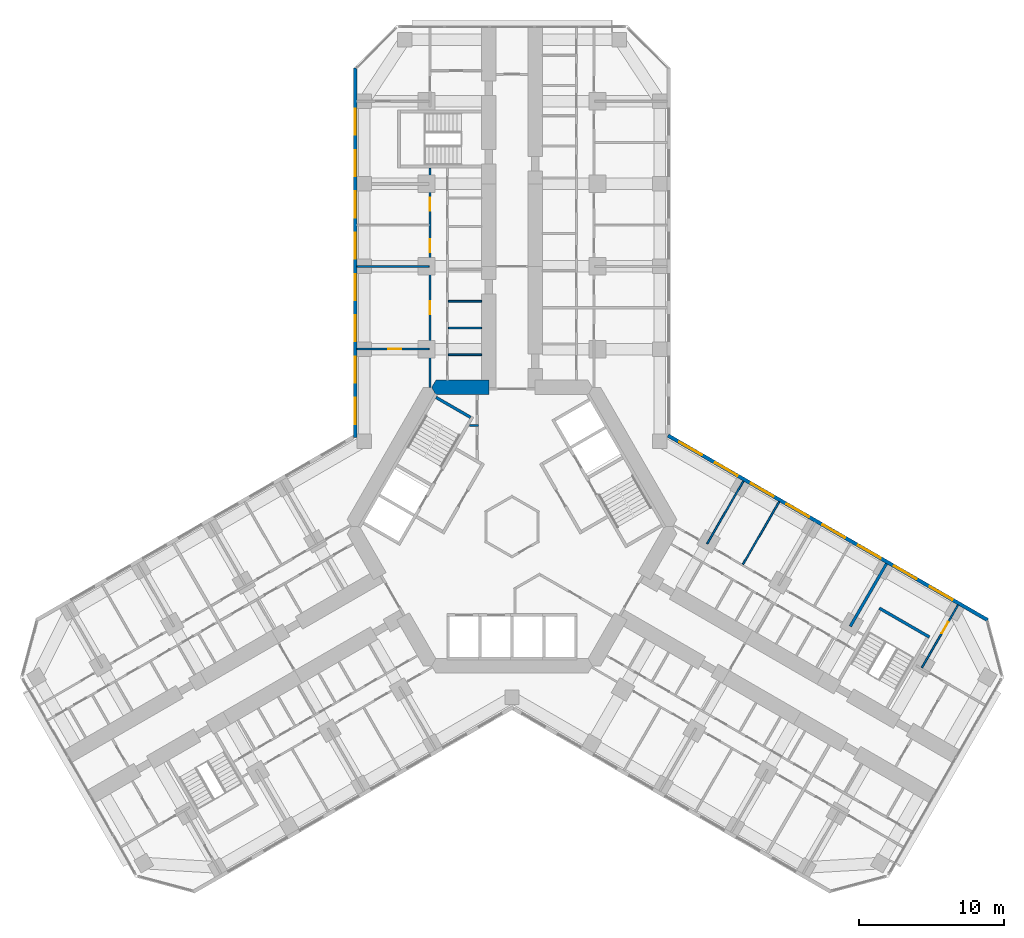
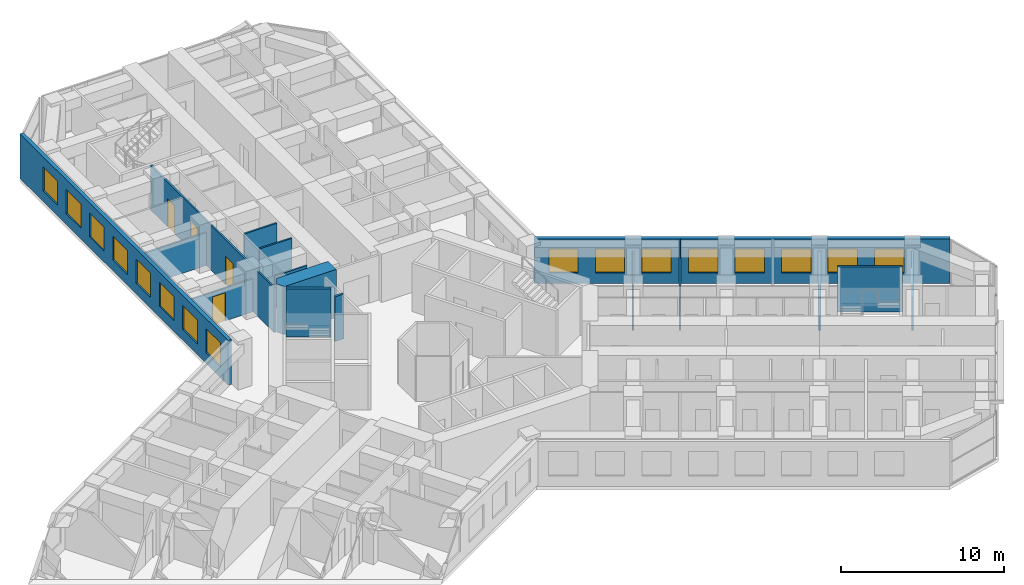
# One storey, part 17 of 21: 16 walls, 16 windows, 5 doors, 21 openings.
"""IFC4 building model written with IfcOpenShell, lengths in metres."""

from ifc_helpers import new_model, si_unit, direction, frame, frame_2d, origin, place, context, subcontext, project, spatial, polyline, rectangle, outline, extrude, material, layer, layer_set, type_object, element, fill, save


model = new_model("IFC4")

# Units and contexts
model_context = context("Model", 3, precision=1e-05, world=origin(), true_north=direction((0.0, 1.0)))
body_context = subcontext(model_context, "Body", "Model", "MODEL_VIEW")
ifc_project = project(units=[si_unit("LENGTHUNIT", "METRE"), si_unit("AREAUNIT", "SQUARE_METRE"), si_unit("VOLUMEUNIT", "CUBIC_METRE"), si_unit("PLANEANGLEUNIT", "RADIAN"), si_unit("MASSUNIT", "GRAM", prefix="KILO")], contexts=[model_context])

# Site, building, storey
site_placement = place(None, origin())
site = spatial("IfcSite", under=ifc_project, at=site_placement, CompositionType="ELEMENT")
building_placement = place(site_placement, origin())
building = spatial("IfcBuilding", under=site, at=building_placement, Name="Kosmar Iwan School Tower", CompositionType="ELEMENT")
storey_placement = place(building_placement, frame((0.0, 0.0, 57.39990234375)))
storey = spatial("IfcBuildingStorey", under=building, at=storey_placement, Name="L13", CompositionType="ELEMENT", Elevation=57.39990234375)

# Walls
ifc_material_1 = material(Name="Gypsum board on steel studs, fire-rated", Category="steel")
ifc_layer_1 = layer(ifc_material_1, 0.14990234375)
ifc_layer_set_1 = layer_set([ifc_layer_1], Name="Core room partition 150")
wall_type_1 = type_object("IfcWallType", Name="Core room partition 150", PredefinedType="PARTITIONING", material=ifc_layer_set_1)
wall_1_placement = place(storey_placement, frame((-2.324951171875, 6.985107421875, 0.0), z_axis=(0.0, 0.0, 1.0), x_axis=(-1.0, 0.0, 0.0)))
element("IfcWall", 1, at=wall_1_placement, inside=storey, type_object=wall_type_1, Name="Core room partition L13-CW2", PredefinedType="PARTITIONING", context=body_context, shape_type="SweptSolid", body=[
    extrude(rectangle(XDim=0.623779296875, YDim=0.14990234375, at=frame_2d((0.31201171875, 0.0))), origin(), (0.0, 0.0, 1.0), 3.35009765625),
])
ifc_material_2 = material(Name="Concrete C50/60", Category="concrete")
ifc_layer_2 = layer(ifc_material_2, 1.0)
ifc_layer_set_2 = layer_set([ifc_layer_2], Name="Core wall 1000")
wall_type_2 = type_object("IfcWallType", Name="Core wall 1000", PredefinedType="SHEAR", material=ifc_layer_set_2)
wall_2_placement = place(storey_placement, origin())
element("IfcWall", 2, at=wall_2_placement, inside=storey, type_object=wall_type_2, Name="Core wall F090b", PredefinedType="SHEAR", context=body_context, shape_type="SweptSolid", body=[
    extrude(outline(polyline([(-5.25390625, 9.10009765625), (-1.60009765625, 9.10009765625), (-1.60009765625, 10.10009765625), (-5.25390625, 10.10009765625), (-5.54248046875, 9.60009765625), (-5.25390625, 9.10009765625)])), origin(), (0.0, 0.0, 1.0), 3.60009765625),
])

# Wall, openings, doors
ifc_material_3 = material(Name="Gypsum board on steel studs", Category="steel")
ifc_layer_3 = layer(ifc_material_3, 0.1201171875)
ifc_layer_set_3 = layer_set([ifc_layer_3], Name="Dwelling partition 120")
wall_type_3 = type_object("IfcWallType", Name="Dwelling partition 120", PredefinedType="PARTITIONING", material=ifc_layer_set_3)
wall_3_placement = place(storey_placement, frame((-5.64990234375, 9.60009765625, 0.0), z_axis=(0.0, 0.0, 1.0), x_axis=(0.0, 1.0, 0.0)))
wall_3 = element("IfcWall", 3, at=wall_3_placement, inside=storey, type_object=wall_type_3, Name="Partition L13-AL1-W2", PredefinedType="PARTITIONING", context=body_context, shape_type="SweptSolid", body=[
    extrude(rectangle(XDim=15.14990234375, YDim=0.1201171875, at=frame_2d((7.574951171875, 0.0))), origin(), (0.0, 0.0, 1.0), 3.35009765625),
])
opening_1_placement = place(wall_3_placement, frame((5.050048828125, 0.0, 0.0)))
opening_1 = element("IfcOpeningElement", 4, at=opening_1_placement, cuts=wall_3, Name="Opening D2", PredefinedType="OPENING", context=body_context, shape_type="SweptSolid", body=[
    extrude(rectangle(XDim=0.89990234375, YDim=2.10009765625, at=frame_2d((0.449951171875, 1.050048828125))), frame((0.0, 0.072021484375, 0.0), z_axis=(0.0, -1.0, 0.0), x_axis=(1.0, 0.0, 0.0)), (0.0, 0.0, 1.0), 0.14404296875),
])
opening_2_placement = place(wall_3_placement, frame((9.324951171875, 0.0, 0.0)))
opening_2 = element("IfcOpeningElement", 5, at=opening_2_placement, cuts=wall_3, Name="Opening D2", PredefinedType="OPENING", context=body_context, shape_type="SweptSolid", body=[
    extrude(rectangle(XDim=0.89990234375, YDim=2.10009765625, at=frame_2d((0.449951171875, 1.050048828125))), frame((0.0, 0.072021484375, 0.0), z_axis=(0.0, -1.0, 0.0), x_axis=(1.0, 0.0, 0.0)), (0.0, 0.0, 1.0), 0.14404296875),
])
opening_3_placement = place(wall_3_placement, frame((12.175048828125, 0.0, 0.0)))
opening_3 = element("IfcOpeningElement", 6, at=opening_3_placement, cuts=wall_3, Name="Opening D2", PredefinedType="OPENING", context=body_context, shape_type="SweptSolid", body=[
    extrude(rectangle(XDim=0.89990234375, YDim=2.10009765625, at=frame_2d((0.449951171875, 1.050048828125))), frame((0.0, 0.072021484375, 0.0), z_axis=(0.0, -1.0, 0.0), x_axis=(1.0, 0.0, 0.0)), (0.0, 0.0, 1.0), 0.14404296875),
])
ifc_material_4 = material(Name="Timber door in timber frame", Category="wood")
door_type = type_object("IfcDoorType", Name="Internal door 900x2100", OperationType="SINGLE_SWING_LEFT", PredefinedType="DOOR", material=ifc_material_4)
door_1_placement = place(opening_1_placement, origin())
door_1 = element("IfcDoor", 7, at=door_1_placement, inside=storey, type_object=door_type, Name="Living room door L13-AL1-F2", OperationType="SINGLE_SWING_LEFT", OverallHeight=2.10009765625, OverallWidth=0.89990234375, PredefinedType="DOOR", context=body_context, shape_type="SweptSolid", body=[
    extrude(rectangle(XDim=0.89990234375, YDim=2.10009765625, at=frame_2d((0.449951171875, 1.050048828125))), frame((0.0, 0.02490234375, 0.0), z_axis=(0.0, -1.0, 0.0), x_axis=(1.0, 0.0, 0.0)), (0.0, 0.0, 1.0), 0.050048828125),
])
fill(opening_1, door_1)
door_2_placement = place(opening_2_placement, origin())
door_2 = element("IfcDoor", 8, at=door_2_placement, inside=storey, type_object=door_type, Name="Study door L13-AL1-F3", OperationType="SINGLE_SWING_RIGHT", OverallHeight=2.10009765625, OverallWidth=0.89990234375, PredefinedType="DOOR", context=body_context, shape_type="SweptSolid", body=[
    extrude(rectangle(XDim=0.89990234375, YDim=2.10009765625, at=frame_2d((0.449951171875, 1.050048828125))), frame((0.0, 0.02490234375, 0.0), z_axis=(0.0, -1.0, 0.0), x_axis=(1.0, 0.0, 0.0)), (0.0, 0.0, 1.0), 0.050048828125),
])
fill(opening_2, door_2)
door_3_placement = place(opening_3_placement, origin())
door_3 = element("IfcDoor", 9, at=door_3_placement, inside=storey, type_object=door_type, Name="Bedroom 1 door L13-AL1-F4", OperationType="SINGLE_SWING_LEFT", OverallHeight=2.10009765625, OverallWidth=0.89990234375, PredefinedType="DOOR", context=body_context, shape_type="SweptSolid", body=[
    extrude(rectangle(XDim=0.89990234375, YDim=2.10009765625, at=frame_2d((0.449951171875, 1.050048828125))), frame((0.0, 0.02490234375, 0.0), z_axis=(0.0, -1.0, 0.0), x_axis=(1.0, 0.0, 0.0)), (0.0, 0.0, 1.0), 0.050048828125),
])
fill(opening_3, door_3)

# Wall, opening, door
wall_4_placement = place(storey_placement, frame((-5.7099609375, 12.25, 0.0), z_axis=(0.0, 0.0, 1.0), x_axis=(-1.0, 0.0, 0.0)))
wall_4 = element("IfcWall", 10, at=wall_4_placement, inside=storey, type_object=wall_type_3, Name="Partition L13-AL1-X1", PredefinedType="PARTITIONING", context=body_context, shape_type="SweptSolid", body=[
    extrude(rectangle(XDim=4.989990234375, YDim=0.1201171875, at=frame_2d((2.4951171875, 0.0))), origin(), (0.0, 0.0, 1.0), 2.4501953125),
])
opening_4_placement = place(wall_4_placement, frame((1.93994140625, 0.0, 0.0)))
opening_4 = element("IfcOpeningElement", 11, at=opening_4_placement, cuts=wall_4, Name="Opening D2", PredefinedType="OPENING", context=body_context, shape_type="SweptSolid", body=[
    extrude(rectangle(XDim=0.89990234375, YDim=2.10009765625, at=frame_2d((0.449951171875, 1.050048828125))), frame((0.0, 0.072021484375, 0.0), z_axis=(0.0, -1.0, 0.0), x_axis=(1.0, 0.0, 0.0)), (0.0, 0.0, 1.0), 0.14404296875),
])
door_4_placement = place(opening_4_placement, origin())
door_4 = element("IfcDoor", 12, at=door_4_placement, inside=storey, type_object=door_type, Name="Kitchen and dining room door L13-AL1-F1", OperationType="SINGLE_SWING_LEFT", OverallHeight=2.10009765625, OverallWidth=0.89990234375, PredefinedType="DOOR", context=body_context, shape_type="SweptSolid", body=[
    extrude(rectangle(XDim=0.89990234375, YDim=2.10009765625, at=frame_2d((0.449951171875, 1.050048828125))), frame((0.0, 0.02490234375, 0.0), z_axis=(0.0, -1.0, 0.0), x_axis=(1.0, 0.0, 0.0)), (0.0, 0.0, 1.0), 0.050048828125),
])
fill(opening_4, door_4)

# Walls
wall_5_placement = place(storey_placement, frame((-5.7099609375, 17.949951171875, 0.0), z_axis=(0.0, 0.0, 1.0), x_axis=(-1.0, 0.0, 0.0)))
element("IfcWall", 13, at=wall_5_placement, inside=storey, type_object=wall_type_3, Name="Partition L13-AL1-X2", PredefinedType="PARTITIONING", context=body_context, shape_type="SweptSolid", body=[
    extrude(rectangle(XDim=4.989990234375, YDim=0.1201171875, at=frame_2d((2.4951171875, 0.0))), origin(), (0.0, 0.0, 1.0), 2.4501953125),
])
wall_6_placement = place(storey_placement, frame((-2.10009765625, 11.85009765625, 0.0), z_axis=(0.0, 0.0, 1.0), x_axis=(-1.0, 0.0, 0.0)))
element("IfcWall", 14, at=wall_6_placement, inside=storey, type_object=wall_type_3, Name="Partition L13-AL1-Y1", PredefinedType="PARTITIONING", context=body_context, shape_type="SweptSolid", body=[
    extrude(rectangle(XDim=2.289794921875, YDim=0.1201171875, at=frame_2d((1.14501953125, 0.0))), origin(), (0.0, 0.0, 1.0), 2.4501953125),
])
for number, where, z_axis, x_axis, name in (
    (15, (-2.10009765625, 13.699951171875, 0.0), (0.0, 0.0, 1.0), (-1.0, 0.0, 0.0), "Partition L13-AL1-Y2"),
    (16, (-2.10009765625, 15.550048828125, 0.0), (0.0, 0.0, 1.0), (-1.0, 0.0, 0.0), "Partition L13-AL1-Y3"),
):
    element("IfcWall", number, at=place(storey_placement, frame(where, z_axis=z_axis, x_axis=x_axis)), inside=storey, type_object=wall_type_3, Name=name, PredefinedType="PARTITIONING", context=body_context, shape_type="SweptSolid", body=[
        extrude(rectangle(XDim=2.289794921875, YDim=0.1201171875, at=frame_2d((1.14501953125, 0.0))), origin(), (0.0, 0.0, 1.0), 3.35009765625),
    ])
wall_7_placement = place(storey_placement, frame((13.4638671875, -1.179931640625, 0.0), z_axis=(0.0, 0.0, 1.0), x_axis=(0.499996339024, 0.86602751744, 0.0)))
element("IfcWall", 17, at=wall_7_placement, inside=storey, type_object=wall_type_3, Name="Partition L13-CL1-X1", PredefinedType="PARTITIONING", context=body_context, shape_type="SweptSolid", body=[
    extrude(rectangle(XDim=4.98974609375, YDim=0.1201171875, at=frame_2d((2.494873046875, 0.0))), origin(), (0.0, 0.0, 1.0), 2.4501953125),
])
wall_8_placement = place(storey_placement, frame((15.931884765625, -2.60498046875, 0.0), z_axis=(0.0, 0.0, 1.0), x_axis=(0.500011847778, 0.866018563358, 0.0)))
element("IfcWall", 18, at=wall_8_placement, inside=storey, type_object=wall_type_3, Name="Partition L13-CL1-X2", PredefinedType="PARTITIONING", context=body_context, shape_type="SweptSolid", body=[
    extrude(rectangle(XDim=4.990234375, YDim=0.1201171875, at=frame_2d((2.4951171875, 0.0))), origin(), (0.0, 0.0, 1.0), 3.35009765625),
])

# Wall, opening, door
wall_9_placement = place(storey_placement, frame((28.27294921875, -9.72998046875, 0.0), z_axis=(0.0, 0.0, 1.0), x_axis=(0.499975153383, 0.86603974851, 0.0)))
wall_9 = element("IfcWall", 19, at=wall_9_placement, inside=storey, type_object=wall_type_3, Name="Partition L13-CL2-TX", PredefinedType="PARTITIONING", context=body_context, shape_type="SweptSolid", body=[
    extrude(rectangle(XDim=4.989990234375, YDim=0.1201171875, at=frame_2d((2.4951171875, 0.0))), origin(), (0.0, 0.0, 1.0), 2.4501953125),
])
opening_5_placement = place(wall_9_placement, frame((2.739990234375, 0.0, 0.0)))
opening_5 = element("IfcOpeningElement", 20, at=opening_5_placement, cuts=wall_9, Name="Opening D2", PredefinedType="OPENING", context=body_context, shape_type="SweptSolid", body=[
    extrude(rectangle(XDim=0.89990234375, YDim=2.10009765625, at=frame_2d((0.449951171875, 1.050048828125))), frame((0.0, 0.072021484375, 0.0), z_axis=(0.0, -1.0, 0.0), x_axis=(1.0, 0.0, 0.0)), (0.0, 0.0, 1.0), 0.14404296875),
])
door_5_placement = place(opening_5_placement, origin())
door_5 = element("IfcDoor", 21, at=door_5_placement, inside=storey, type_object=door_type, Name="Bedroom 1 door L13-CL2-T1", OperationType="SINGLE_SWING_RIGHT", OverallHeight=2.10009765625, OverallWidth=0.89990234375, PredefinedType="DOOR", context=body_context, shape_type="SweptSolid", body=[
    extrude(rectangle(XDim=0.89990234375, YDim=2.10009765625, at=frame_2d((0.449951171875, 1.050048828125))), frame((0.0, 0.02490234375, 0.0), z_axis=(0.0, -1.0, 0.0), x_axis=(1.0, 0.0, 0.0)), (0.0, 0.0, 1.0), 0.050048828125),
])
fill(opening_5, door_5)

# Wall
ifc_material_5 = material(Name="Concrete C35/45", Category="concrete")
ifc_layer_4 = layer(ifc_material_5, 0.199951171875)
ifc_layer_set_4 = layer_set([ifc_layer_4], Name="Escape stair wall 200")
wall_type_4 = type_object("IfcWallType", Name="Escape stair wall 200", PredefinedType="SHEAR", material=ifc_layer_set_4)
wall_10_placement = place(storey_placement, frame((25.334228515625, -5.6201171875, 0.0), z_axis=(0.0, 0.0, 1.0), x_axis=(0.866026010844, -0.49999894854, 0.0)))
element("IfcWall", 22, at=wall_10_placement, inside=storey, type_object=wall_type_4, Name="Stair WS3 wall", PredefinedType="SHEAR", context=body_context, shape_type="SweptSolid", body=[
    extrude(rectangle(XDim=4.0, YDim=0.199951171875, at=frame_2d((2.0, 0.0))), origin(), (0.0, 0.0, 1.0), 3.330078125),
])

# Wall, openings, windows
ifc_material_6 = material(Name="Black aluminium rainscreen on insulated framing", Category="aluminium")
ifc_layer_5 = layer(ifc_material_6, 0.25)
ifc_layer_set_5 = layer_set([ifc_layer_5], Name="External wall rainscreen 250")
wall_type_5 = type_object("IfcWallType", Name="External wall rainscreen 250", PredefinedType="SOLIDWALL", material=ifc_layer_set_5)
wall_11_placement = place(storey_placement, frame((10.762451171875, 6.285888671875, 0.0), z_axis=(0.0, 0.0, 1.0), x_axis=(0.866027962024, -0.499995568972, 0.0)))
wall_11 = element("IfcWall", 23, at=wall_11_placement, inside=storey, type_object=wall_type_5, Name="External wall CL L13", PredefinedType="SOLIDWALL", context=body_context, shape_type="SweptSolid", body=[
    extrude(rectangle(XDim=25.457763671875, YDim=0.25, at=frame_2d((12.72900390625, 0.0))), origin(), (0.0, 0.0, 1.0), 3.35009765625),
])
opening_6_placement = place(wall_11_placement, frame((0.8974609375, 0.0, 0.800048828125)))
opening_6 = element("IfcOpeningElement", 24, at=opening_6_placement, cuts=wall_11, Name="Opening W1", PredefinedType="OPENING", context=body_context, shape_type="SweptSolid", body=[
    extrude(rectangle(XDim=1.800048828125, YDim=1.800048828125, at=frame_2d((0.89990234375, 0.89990234375))), frame((0.0, 0.136962890625, 0.0), z_axis=(0.0, -1.0, 0.0), x_axis=(1.0, 0.0, 0.0)), (0.0, 0.0, 1.0), 0.27392578125),
])
opening_7_placement = place(wall_11_placement, frame((3.747314453125, 0.0, 0.800048828125)))
opening_7 = element("IfcOpeningElement", 25, at=opening_7_placement, cuts=wall_11, Name="Opening W1", PredefinedType="OPENING", context=body_context, shape_type="SweptSolid", body=[
    extrude(rectangle(XDim=1.800048828125, YDim=1.800048828125, at=frame_2d((0.89990234375, 0.89990234375))), frame((0.0, 0.136962890625, 0.0), z_axis=(0.0, -1.0, 0.0), x_axis=(1.0, 0.0, 0.0)), (0.0, 0.0, 1.0), 0.27392578125),
])
opening_8_placement = place(wall_11_placement, frame((6.597412109375, 0.0, 0.800048828125)))
opening_8 = element("IfcOpeningElement", 26, at=opening_8_placement, cuts=wall_11, Name="Opening W1", PredefinedType="OPENING", context=body_context, shape_type="SweptSolid", body=[
    extrude(rectangle(XDim=1.800048828125, YDim=1.800048828125, at=frame_2d((0.89990234375, 0.89990234375))), frame((0.0, 0.136962890625, 0.0), z_axis=(0.0, -1.0, 0.0), x_axis=(1.0, 0.0, 0.0)), (0.0, 0.0, 1.0), 0.27392578125),
])
opening_9_placement = place(wall_11_placement, frame((9.447265625, 0.0, 0.800048828125)))
opening_9 = element("IfcOpeningElement", 27, at=opening_9_placement, cuts=wall_11, Name="Opening W1", PredefinedType="OPENING", context=body_context, shape_type="SweptSolid", body=[
    extrude(rectangle(XDim=1.800048828125, YDim=1.800048828125, at=frame_2d((0.89990234375, 0.89990234375))), frame((0.0, 0.136962890625, 0.0), z_axis=(0.0, -1.0, 0.0), x_axis=(1.0, 0.0, 0.0)), (0.0, 0.0, 1.0), 0.27392578125),
])
opening_10_placement = place(wall_11_placement, frame((12.29736328125, 0.0, 0.800048828125)))
opening_10 = element("IfcOpeningElement", 28, at=opening_10_placement, cuts=wall_11, Name="Opening W1", PredefinedType="OPENING", context=body_context, shape_type="SweptSolid", body=[
    extrude(rectangle(XDim=1.800048828125, YDim=1.800048828125, at=frame_2d((0.89990234375, 0.89990234375))), frame((0.0, 0.136962890625, 0.0), z_axis=(0.0, -1.0, 0.0), x_axis=(1.0, 0.0, 0.0)), (0.0, 0.0, 1.0), 0.27392578125),
])
opening_11_placement = place(wall_11_placement, frame((15.1474609375, 0.0, 0.800048828125)))
opening_11 = element("IfcOpeningElement", 29, at=opening_11_placement, cuts=wall_11, Name="Opening W1", PredefinedType="OPENING", context=body_context, shape_type="SweptSolid", body=[
    extrude(rectangle(XDim=1.800048828125, YDim=1.800048828125, at=frame_2d((0.89990234375, 0.89990234375))), frame((0.0, 0.136962890625, 0.0), z_axis=(0.0, -1.0, 0.0), x_axis=(1.0, 0.0, 0.0)), (0.0, 0.0, 1.0), 0.27392578125),
])
opening_12_placement = place(wall_11_placement, frame((17.997314453125, 0.0, 0.800048828125)))
opening_12 = element("IfcOpeningElement", 30, at=opening_12_placement, cuts=wall_11, Name="Opening W1", PredefinedType="OPENING", context=body_context, shape_type="SweptSolid", body=[
    extrude(rectangle(XDim=1.800048828125, YDim=1.800048828125, at=frame_2d((0.89990234375, 0.89990234375))), frame((0.0, 0.136962890625, 0.0), z_axis=(0.0, -1.0, 0.0), x_axis=(1.0, 0.0, 0.0)), (0.0, 0.0, 1.0), 0.27392578125),
])
opening_13_placement = place(wall_11_placement, frame((20.847412109375, 0.0, 0.800048828125)))
opening_13 = element("IfcOpeningElement", 31, at=opening_13_placement, cuts=wall_11, Name="Opening W1", PredefinedType="OPENING", context=body_context, shape_type="SweptSolid", body=[
    extrude(rectangle(XDim=1.800048828125, YDim=1.800048828125, at=frame_2d((0.89990234375, 0.89990234375))), frame((0.0, 0.136962890625, 0.0), z_axis=(0.0, -1.0, 0.0), x_axis=(1.0, 0.0, 0.0)), (0.0, 0.0, 1.0), 0.27392578125),
])
ifc_material_7 = material(Name="Black aluminium frame with dark triple glazing", Category="aluminium")
window_type = type_object("IfcWindowType", Name="Window 1800x1800", PartitioningType="SINGLE_PANEL", PredefinedType="WINDOW", material=ifc_material_7)
window_1_placement = place(opening_6_placement, origin())
window_1 = element("IfcWindow", 32, at=window_1_placement, inside=storey, type_object=window_type, Name="Window CL L13 -1", OverallHeight=1.800048828125, OverallWidth=1.800048828125, PartitioningType="SINGLE_PANEL", PredefinedType="WINDOW", context=body_context, shape_type="SweptSolid", body=[
    extrude(rectangle(XDim=1.800048828125, YDim=1.800048828125, at=frame_2d((0.89990234375, 0.89990234375))), frame((0.0, 0.030029296875, 0.0), z_axis=(0.0, -1.0, 0.0), x_axis=(1.0, 0.0, 0.0)), (0.0, 0.0, 1.0), 0.06005859375),
])
fill(opening_6, window_1)
window_2_placement = place(opening_7_placement, origin())
window_2 = element("IfcWindow", 33, at=window_2_placement, inside=storey, type_object=window_type, Name="Window CL L13 0", OverallHeight=1.800048828125, OverallWidth=1.800048828125, PartitioningType="SINGLE_PANEL", PredefinedType="WINDOW", context=body_context, shape_type="SweptSolid", body=[
    extrude(rectangle(XDim=1.800048828125, YDim=1.800048828125, at=frame_2d((0.89990234375, 0.89990234375))), frame((0.0, 0.030029296875, 0.0), z_axis=(0.0, -1.0, 0.0), x_axis=(1.0, 0.0, 0.0)), (0.0, 0.0, 1.0), 0.06005859375),
])
fill(opening_7, window_2)
window_3_placement = place(opening_8_placement, origin())
window_3 = element("IfcWindow", 34, at=window_3_placement, inside=storey, type_object=window_type, Name="Window CL L13 1", OverallHeight=1.800048828125, OverallWidth=1.800048828125, PartitioningType="SINGLE_PANEL", PredefinedType="WINDOW", context=body_context, shape_type="SweptSolid", body=[
    extrude(rectangle(XDim=1.800048828125, YDim=1.800048828125, at=frame_2d((0.89990234375, 0.89990234375))), frame((0.0, 0.030029296875, 0.0), z_axis=(0.0, -1.0, 0.0), x_axis=(1.0, 0.0, 0.0)), (0.0, 0.0, 1.0), 0.06005859375),
])
fill(opening_8, window_3)
window_4_placement = place(opening_9_placement, origin())
window_4 = element("IfcWindow", 35, at=window_4_placement, inside=storey, type_object=window_type, Name="Window CL L13 2", OverallHeight=1.800048828125, OverallWidth=1.800048828125, PartitioningType="SINGLE_PANEL", PredefinedType="WINDOW", context=body_context, shape_type="SweptSolid", body=[
    extrude(rectangle(XDim=1.800048828125, YDim=1.800048828125, at=frame_2d((0.89990234375, 0.89990234375))), frame((0.0, 0.030029296875, 0.0), z_axis=(0.0, -1.0, 0.0), x_axis=(1.0, 0.0, 0.0)), (0.0, 0.0, 1.0), 0.06005859375),
])
fill(opening_9, window_4)
window_5_placement = place(opening_10_placement, origin())
window_5 = element("IfcWindow", 36, at=window_5_placement, inside=storey, type_object=window_type, Name="Window CL L13 3", OverallHeight=1.800048828125, OverallWidth=1.800048828125, PartitioningType="SINGLE_PANEL", PredefinedType="WINDOW", context=body_context, shape_type="SweptSolid", body=[
    extrude(rectangle(XDim=1.800048828125, YDim=1.800048828125, at=frame_2d((0.89990234375, 0.89990234375))), frame((0.0, 0.030029296875, 0.0), z_axis=(0.0, -1.0, 0.0), x_axis=(1.0, 0.0, 0.0)), (0.0, 0.0, 1.0), 0.06005859375),
])
fill(opening_10, window_5)
window_6_placement = place(opening_11_placement, origin())
window_6 = element("IfcWindow", 37, at=window_6_placement, inside=storey, type_object=window_type, Name="Window CL L13 4", OverallHeight=1.800048828125, OverallWidth=1.800048828125, PartitioningType="SINGLE_PANEL", PredefinedType="WINDOW", context=body_context, shape_type="SweptSolid", body=[
    extrude(rectangle(XDim=1.800048828125, YDim=1.800048828125, at=frame_2d((0.89990234375, 0.89990234375))), frame((0.0, 0.030029296875, 0.0), z_axis=(0.0, -1.0, 0.0), x_axis=(1.0, 0.0, 0.0)), (0.0, 0.0, 1.0), 0.06005859375),
])
fill(opening_11, window_6)
window_7_placement = place(opening_12_placement, origin())
window_7 = element("IfcWindow", 38, at=window_7_placement, inside=storey, type_object=window_type, Name="Window CL L13 5", OverallHeight=1.800048828125, OverallWidth=1.800048828125, PartitioningType="SINGLE_PANEL", PredefinedType="WINDOW", context=body_context, shape_type="SweptSolid", body=[
    extrude(rectangle(XDim=1.800048828125, YDim=1.800048828125, at=frame_2d((0.89990234375, 0.89990234375))), frame((0.0, 0.030029296875, 0.0), z_axis=(0.0, -1.0, 0.0), x_axis=(1.0, 0.0, 0.0)), (0.0, 0.0, 1.0), 0.06005859375),
])
fill(opening_12, window_7)
window_8_placement = place(opening_13_placement, origin())
window_8 = element("IfcWindow", 39, at=window_8_placement, inside=storey, type_object=window_type, Name="Window CL L13 6", OverallHeight=1.800048828125, OverallWidth=1.800048828125, PartitioningType="SINGLE_PANEL", PredefinedType="WINDOW", context=body_context, shape_type="SweptSolid", body=[
    extrude(rectangle(XDim=1.800048828125, YDim=1.800048828125, at=frame_2d((0.89990234375, 0.89990234375))), frame((0.0, 0.030029296875, 0.0), z_axis=(0.0, -1.0, 0.0), x_axis=(1.0, 0.0, 0.0)), (0.0, 0.0, 1.0), 0.06005859375),
])
fill(opening_13, window_8)

wall_12_placement = place(storey_placement, frame((-10.824951171875, 6.14794921875, 0.0), z_axis=(0.0, 0.0, 1.0), x_axis=(0.0, 1.0, 0.0)))
wall_12 = element("IfcWall", 40, at=wall_12_placement, inside=storey, type_object=wall_type_5, Name="External wall AL L13", PredefinedType="SOLIDWALL", context=body_context, shape_type="SweptSolid", body=[
    extrude(rectangle(XDim=25.4873046875, YDim=0.25, at=frame_2d((12.74365234375, 0.0))), origin(), (0.0, 0.0, 1.0), 3.35009765625),
])
opening_14_placement = place(wall_12_placement, frame((0.927001953125, 0.0, 0.800048828125)))
opening_14 = element("IfcOpeningElement", 41, at=opening_14_placement, cuts=wall_12, Name="Opening W1", PredefinedType="OPENING", context=body_context, shape_type="SweptSolid", body=[
    extrude(rectangle(XDim=1.800048828125, YDim=1.800048828125, at=frame_2d((0.89990234375, 0.89990234375))), frame((0.0, 0.136962890625, 0.0), z_axis=(0.0, -1.0, 0.0), x_axis=(1.0, 0.0, 0.0)), (0.0, 0.0, 1.0), 0.27392578125),
])
opening_15_placement = place(wall_12_placement, frame((3.777099609375, 0.0, 0.800048828125)))
opening_15 = element("IfcOpeningElement", 42, at=opening_15_placement, cuts=wall_12, Name="Opening W1", PredefinedType="OPENING", context=body_context, shape_type="SweptSolid", body=[
    extrude(rectangle(XDim=1.800048828125, YDim=1.800048828125, at=frame_2d((0.89990234375, 0.89990234375))), frame((0.0, 0.136962890625, 0.0), z_axis=(0.0, -1.0, 0.0), x_axis=(1.0, 0.0, 0.0)), (0.0, 0.0, 1.0), 0.27392578125),
])
opening_16_placement = place(wall_12_placement, frame((6.626953125, 0.0, 0.800048828125)))
opening_16 = element("IfcOpeningElement", 43, at=opening_16_placement, cuts=wall_12, Name="Opening W1", PredefinedType="OPENING", context=body_context, shape_type="SweptSolid", body=[
    extrude(rectangle(XDim=1.800048828125, YDim=1.800048828125, at=frame_2d((0.89990234375, 0.89990234375))), frame((0.0, 0.136962890625, 0.0), z_axis=(0.0, -1.0, 0.0), x_axis=(1.0, 0.0, 0.0)), (0.0, 0.0, 1.0), 0.27392578125),
])
opening_17_placement = place(wall_12_placement, frame((9.47705078125, 0.0, 0.800048828125)))
opening_17 = element("IfcOpeningElement", 44, at=opening_17_placement, cuts=wall_12, Name="Opening W1", PredefinedType="OPENING", context=body_context, shape_type="SweptSolid", body=[
    extrude(rectangle(XDim=1.800048828125, YDim=1.800048828125, at=frame_2d((0.89990234375, 0.89990234375))), frame((0.0, 0.136962890625, 0.0), z_axis=(0.0, -1.0, 0.0), x_axis=(1.0, 0.0, 0.0)), (0.0, 0.0, 1.0), 0.27392578125),
])
opening_18_placement = place(wall_12_placement, frame((12.326904296875, 0.0, 0.800048828125)))
opening_18 = element("IfcOpeningElement", 45, at=opening_18_placement, cuts=wall_12, Name="Opening W1", PredefinedType="OPENING", context=body_context, shape_type="SweptSolid", body=[
    extrude(rectangle(XDim=1.800048828125, YDim=1.800048828125, at=frame_2d((0.89990234375, 0.89990234375))), frame((0.0, 0.136962890625, 0.0), z_axis=(0.0, -1.0, 0.0), x_axis=(1.0, 0.0, 0.0)), (0.0, 0.0, 1.0), 0.27392578125),
])
opening_19_placement = place(wall_12_placement, frame((15.177001953125, 0.0, 0.800048828125)))
opening_19 = element("IfcOpeningElement", 46, at=opening_19_placement, cuts=wall_12, Name="Opening W1", PredefinedType="OPENING", context=body_context, shape_type="SweptSolid", body=[
    extrude(rectangle(XDim=1.800048828125, YDim=1.800048828125, at=frame_2d((0.89990234375, 0.89990234375))), frame((0.0, 0.136962890625, 0.0), z_axis=(0.0, -1.0, 0.0), x_axis=(1.0, 0.0, 0.0)), (0.0, 0.0, 1.0), 0.27392578125),
])
opening_20_placement = place(wall_12_placement, frame((18.027099609375, 0.0, 0.800048828125)))
opening_20 = element("IfcOpeningElement", 47, at=opening_20_placement, cuts=wall_12, Name="Opening W1", PredefinedType="OPENING", context=body_context, shape_type="SweptSolid", body=[
    extrude(rectangle(XDim=1.800048828125, YDim=1.800048828125, at=frame_2d((0.89990234375, 0.89990234375))), frame((0.0, 0.136962890625, 0.0), z_axis=(0.0, -1.0, 0.0), x_axis=(1.0, 0.0, 0.0)), (0.0, 0.0, 1.0), 0.27392578125),
])
opening_21_placement = place(wall_12_placement, frame((20.876953125, 0.0, 0.800048828125)))
opening_21 = element("IfcOpeningElement", 48, at=opening_21_placement, cuts=wall_12, Name="Opening W1", PredefinedType="OPENING", context=body_context, shape_type="SweptSolid", body=[
    extrude(rectangle(XDim=1.800048828125, YDim=1.800048828125, at=frame_2d((0.89990234375, 0.89990234375))), frame((0.0, 0.136962890625, 0.0), z_axis=(0.0, -1.0, 0.0), x_axis=(1.0, 0.0, 0.0)), (0.0, 0.0, 1.0), 0.27392578125),
])
window_9_placement = place(opening_14_placement, origin())
window_9 = element("IfcWindow", 49, at=window_9_placement, inside=storey, type_object=window_type, Name="Window AL L13 -1", OverallHeight=1.800048828125, OverallWidth=1.800048828125, PartitioningType="SINGLE_PANEL", PredefinedType="WINDOW", context=body_context, shape_type="SweptSolid", body=[
    extrude(rectangle(XDim=1.800048828125, YDim=1.800048828125, at=frame_2d((0.89990234375, 0.89990234375))), frame((0.0, 0.030029296875, 0.0), z_axis=(0.0, -1.0, 0.0), x_axis=(1.0, 0.0, 0.0)), (0.0, 0.0, 1.0), 0.06005859375),
])
fill(opening_14, window_9)
window_10_placement = place(opening_15_placement, origin())
window_10 = element("IfcWindow", 50, at=window_10_placement, inside=storey, type_object=window_type, Name="Window AL L13 0", OverallHeight=1.800048828125, OverallWidth=1.800048828125, PartitioningType="SINGLE_PANEL", PredefinedType="WINDOW", context=body_context, shape_type="SweptSolid", body=[
    extrude(rectangle(XDim=1.800048828125, YDim=1.800048828125, at=frame_2d((0.89990234375, 0.89990234375))), frame((0.0, 0.030029296875, 0.0), z_axis=(0.0, -1.0, 0.0), x_axis=(1.0, 0.0, 0.0)), (0.0, 0.0, 1.0), 0.06005859375),
])
fill(opening_15, window_10)
window_11_placement = place(opening_16_placement, origin())
window_11 = element("IfcWindow", 51, at=window_11_placement, inside=storey, type_object=window_type, Name="Window AL L13 1", OverallHeight=1.800048828125, OverallWidth=1.800048828125, PartitioningType="SINGLE_PANEL", PredefinedType="WINDOW", context=body_context, shape_type="SweptSolid", body=[
    extrude(rectangle(XDim=1.800048828125, YDim=1.800048828125, at=frame_2d((0.89990234375, 0.89990234375))), frame((0.0, 0.030029296875, 0.0), z_axis=(0.0, -1.0, 0.0), x_axis=(1.0, 0.0, 0.0)), (0.0, 0.0, 1.0), 0.06005859375),
])
fill(opening_16, window_11)
window_12_placement = place(opening_17_placement, origin())
window_12 = element("IfcWindow", 52, at=window_12_placement, inside=storey, type_object=window_type, Name="Window AL L13 2", OverallHeight=1.800048828125, OverallWidth=1.800048828125, PartitioningType="SINGLE_PANEL", PredefinedType="WINDOW", context=body_context, shape_type="SweptSolid", body=[
    extrude(rectangle(XDim=1.800048828125, YDim=1.800048828125, at=frame_2d((0.89990234375, 0.89990234375))), frame((0.0, 0.030029296875, 0.0), z_axis=(0.0, -1.0, 0.0), x_axis=(1.0, 0.0, 0.0)), (0.0, 0.0, 1.0), 0.06005859375),
])
fill(opening_17, window_12)
window_13_placement = place(opening_18_placement, origin())
window_13 = element("IfcWindow", 53, at=window_13_placement, inside=storey, type_object=window_type, Name="Window AL L13 3", OverallHeight=1.800048828125, OverallWidth=1.800048828125, PartitioningType="SINGLE_PANEL", PredefinedType="WINDOW", context=body_context, shape_type="SweptSolid", body=[
    extrude(rectangle(XDim=1.800048828125, YDim=1.800048828125, at=frame_2d((0.89990234375, 0.89990234375))), frame((0.0, 0.030029296875, 0.0), z_axis=(0.0, -1.0, 0.0), x_axis=(1.0, 0.0, 0.0)), (0.0, 0.0, 1.0), 0.06005859375),
])
fill(opening_18, window_13)
window_14_placement = place(opening_19_placement, origin())
window_14 = element("IfcWindow", 54, at=window_14_placement, inside=storey, type_object=window_type, Name="Window AL L13 4", OverallHeight=1.800048828125, OverallWidth=1.800048828125, PartitioningType="SINGLE_PANEL", PredefinedType="WINDOW", context=body_context, shape_type="SweptSolid", body=[
    extrude(rectangle(XDim=1.800048828125, YDim=1.800048828125, at=frame_2d((0.89990234375, 0.89990234375))), frame((0.0, 0.030029296875, 0.0), z_axis=(0.0, -1.0, 0.0), x_axis=(1.0, 0.0, 0.0)), (0.0, 0.0, 1.0), 0.06005859375),
])
fill(opening_19, window_14)
window_15_placement = place(opening_20_placement, origin())
window_15 = element("IfcWindow", 55, at=window_15_placement, inside=storey, type_object=window_type, Name="Window AL L13 5", OverallHeight=1.800048828125, OverallWidth=1.800048828125, PartitioningType="SINGLE_PANEL", PredefinedType="WINDOW", context=body_context, shape_type="SweptSolid", body=[
    extrude(rectangle(XDim=1.800048828125, YDim=1.800048828125, at=frame_2d((0.89990234375, 0.89990234375))), frame((0.0, 0.030029296875, 0.0), z_axis=(0.0, -1.0, 0.0), x_axis=(1.0, 0.0, 0.0)), (0.0, 0.0, 1.0), 0.06005859375),
])
fill(opening_20, window_15)
window_16_placement = place(opening_21_placement, origin())
window_16 = element("IfcWindow", 56, at=window_16_placement, inside=storey, type_object=window_type, Name="Window AL L13 6", OverallHeight=1.800048828125, OverallWidth=1.800048828125, PartitioningType="SINGLE_PANEL", PredefinedType="WINDOW", context=body_context, shape_type="SweptSolid", body=[
    extrude(rectangle(XDim=1.800048828125, YDim=1.800048828125, at=frame_2d((0.89990234375, 0.89990234375))), frame((0.0, 0.030029296875, 0.0), z_axis=(0.0, -1.0, 0.0), x_axis=(1.0, 0.0, 0.0)), (0.0, 0.0, 1.0), 0.06005859375),
])
fill(opening_21, window_16)

# Walls
ifc_material_8 = material(Name="Concrete block masonry", Category="masonry")
ifc_layer_6 = layer(ifc_material_8, 0.199951171875)
ifc_layer_set_6 = layer_set([ifc_layer_6], Name="Party wall 200")
wall_type_6 = type_object("IfcWallType", Name="Party wall 200", PredefinedType="PARTITIONING", material=ifc_layer_set_6)
wall_13_placement = place(storey_placement, frame((23.33642578125, -6.8798828125, 0.0), z_axis=(0.0, 0.0, 1.0), x_axis=(0.500033033937, 0.866006330792, 0.0)))
element("IfcWall", 57, at=wall_13_placement, inside=storey, type_object=wall_type_6, Name="Partition L13-CL2-TB", PredefinedType="PARTITIONING", context=body_context, shape_type="SweptSolid", body=[
    extrude(rectangle(XDim=4.989990234375, YDim=0.199951171875, at=frame_2d((2.4951171875, 0.0))), origin(), (0.0, 0.0, 1.0), 2.4501953125),
])
ifc_material_9 = material(Name="Concrete C50/60", Category="concrete")
ifc_layer_7 = layer(ifc_material_9, 0.199951171875)
ifc_layer_set_7 = layer_set([ifc_layer_7], Name="Stair enclosure wall 200")
wall_type_7 = type_object("IfcWallType", Name="Stair enclosure wall 200", PredefinedType="SHEAR", material=ifc_layer_set_7)
wall_14_placement = place(storey_placement, frame((-2.862548828125, 7.541748046875, 0.0), z_axis=(0.0, 0.0, 1.0), x_axis=(-0.866027397988, 0.499996545922, 0.0)))
element("IfcWall", 58, at=wall_14_placement, inside=storey, type_object=wall_type_7, Name="Stair ST2 wall", PredefinedType="SHEAR", context=body_context, shape_type="SweptSolid", body=[
    extrude(rectangle(XDim=2.75, YDim=0.199951171875, at=frame_2d((1.375, 0.0))), origin(), (0.0, 0.0, 1.0), 3.60009765625),
])

save(model, "model.ifc")
